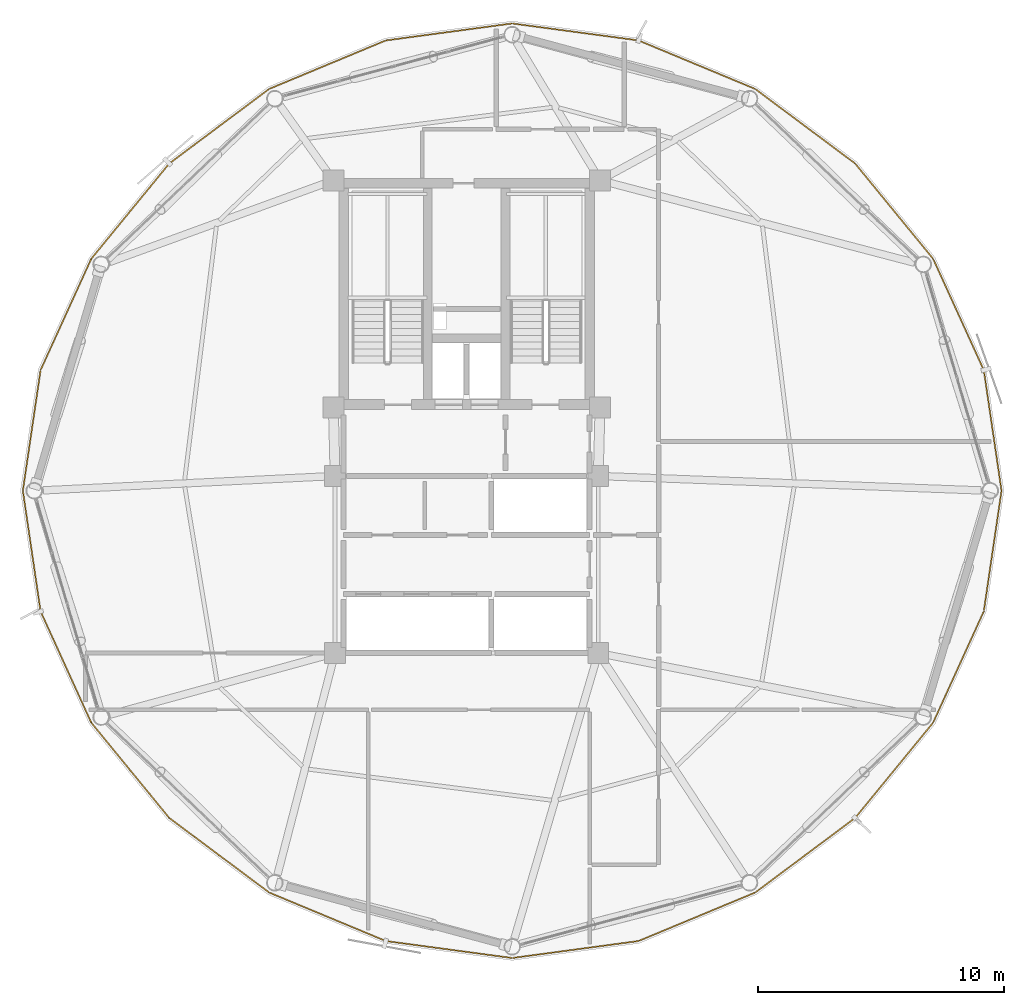
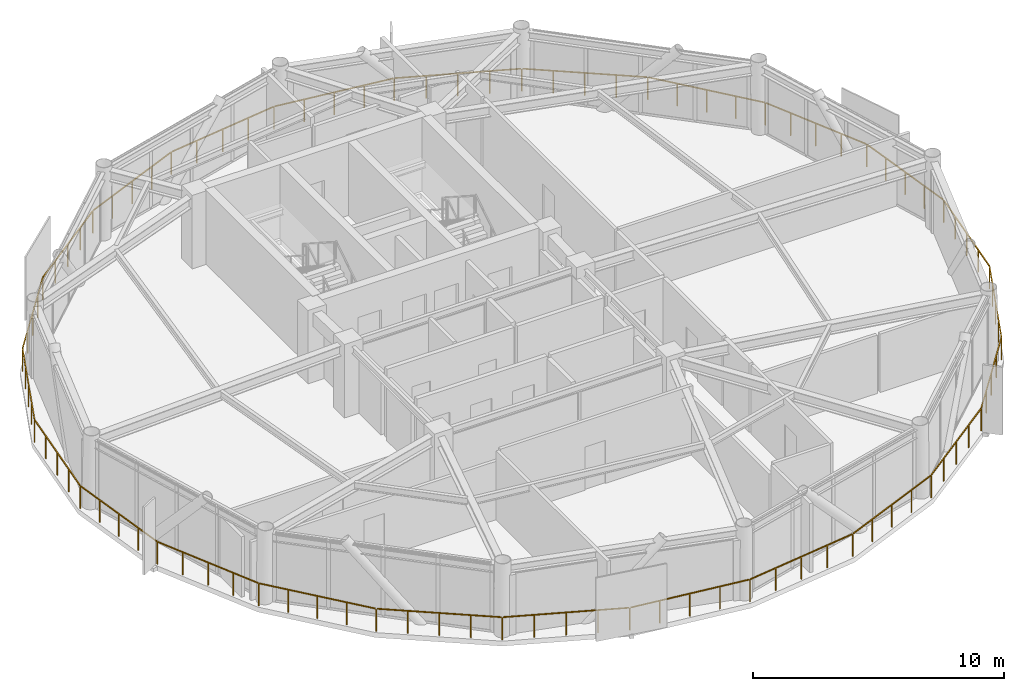
# One storey, part 27 of 28: 1 railing.
"""IFC4 building model written with IfcOpenShell, lengths in metres."""

from ifc_helpers import new_model, si_unit, direction, frame, origin, origin_2d, place, context, subcontext, project, spatial, rectangle, extrude, material, type_object, element, save


model = new_model("IFC4")

# Units and contexts
model_context = context("Model", 3, precision=1e-05, world=origin(), true_north=direction((0.0, 1.0)))
body_context = subcontext(model_context, "Body", "Model", "MODEL_VIEW")
ifc_project = project(units=[si_unit("LENGTHUNIT", "METRE"), si_unit("AREAUNIT", "SQUARE_METRE"), si_unit("VOLUMEUNIT", "CUBIC_METRE"), si_unit("PLANEANGLEUNIT", "RADIAN"), si_unit("MASSUNIT", "GRAM", prefix="KILO")], contexts=[model_context])

# Site, building, storey
site_placement = place(None, origin())
site = spatial("IfcSite", under=ifc_project, at=site_placement, CompositionType="ELEMENT")
building_placement = place(site_placement, origin())
building = spatial("IfcBuilding", under=site, at=building_placement, Name="Varnakorn Sky Granary", CompositionType="ELEMENT")
storey_placement = place(building_placement, frame((0.0, 0.0, 196.800048828125)))
storey = spatial("IfcBuildingStorey", under=building, at=storey_placement, Name="L49", CompositionType="ELEMENT", Elevation=196.800048828125)

# Railing
ifc_material = material(Name="Anodised Bronze Aluminium Alloy 6063-T6", Category="aluminium")
railing_type = type_object("IfcRailingType", Name="RL-BAL-1120", PredefinedType="BALUSTRADE", material=ifc_material)
railing_placement = place(storey_placement, frame((24.742919921875, 0.0, 0.0)))
element("IfcRailing", 1, at=railing_placement, inside=storey, type_object=railing_type, Name="Perimeter Slab-Edge Safety Guard L49", PredefinedType="BALUSTRADE", context=body_context, shape_type="SweptSolid", body=[
    extrude(rectangle(XDim=0.048095703125, YDim=0.048095703125, at=origin_2d()), frame((-0.004150390625, -0.027587890625, 1.09619140625), z_axis=(-0.145393282082, -0.989373940189, 0.0), x_axis=(0.989373940189, -0.145393282082, 0.0)), (0.0, 0.0, 1.0), 4.899169921875),
    extrude(rectangle(XDim=0.048095703125, YDim=0.048095703125, at=origin_2d()), frame((-0.732177734375, -4.927978515625, 1.09619140625), z_axis=(-0.414250557817, -0.910162883966, 0.0), x_axis=(0.910162883966, -0.414250557817, 0.0)), (0.0, 0.0, 1.0), 4.915771484375),
    extrude(rectangle(XDim=0.048095703125, YDim=0.048095703125, at=origin_2d()), frame((-2.7978515625, -9.449462890625, 1.09619140625), z_axis=(-0.633336005447, -0.773876930917, 0.0), x_axis=(0.773876930917, -0.633336005447, 0.0)), (0.0, 0.0, 1.0), 4.9521484375),
    extrude(rectangle(XDim=0.048095703125, YDim=0.048095703125, at=origin_2d()), frame((-5.974365234375, -13.3203125, 1.09619140625), z_axis=(-0.801477572871, -0.598024832415, 0.0), x_axis=(0.598024832415, -0.801477572871, 0.0)), (0.0, 0.0, 1.0), 5.011474609375),
    extrude(rectangle(XDim=0.048095703125, YDim=0.048095703125, at=origin_2d()), frame((-10.039306640625, -16.3447265625, 1.09619140625), z_axis=(-0.923400054461, -0.383838949849, 0.0), x_axis=(0.383838949849, -0.923400054461, 0.0)), (0.0, 0.0, 1.0), 5.080078125),
    extrude(rectangle(XDim=0.048095703125, YDim=0.048095703125, at=origin_2d()), frame((-14.783935546875, -18.30908203125, 1.09619140625), z_axis=(-0.991081250594, -0.133258976137, 0.0), x_axis=(0.133258976137, -0.991081250594, 0.0)), (0.0, 0.0, 1.0), 5.126953125),
    extrude(rectangle(XDim=0.048095703125, YDim=0.048095703125, at=origin_2d()), frame((-19.920654296875, -18.992431640625, 1.09619140625), z_axis=(-0.991082087017, 0.133252755295, 0.0), x_axis=(-0.133252755295, -0.991082087017, 0.0)), (0.0, 0.0, 1.0), 5.127197265625),
    extrude(rectangle(XDim=0.048095703125, YDim=0.048095703125, at=origin_2d()), frame((-25.0556640625, -18.294677734375, 1.09619140625), z_axis=(-0.923400054461, 0.383838949849, 0.0), x_axis=(-0.383838949849, -0.923400054461, 0.0)), (0.0, 0.0, 1.0), 5.080078125),
    extrude(rectangle(XDim=0.048095703125, YDim=0.048095703125, at=origin_2d()), frame((-29.794921875, -16.317138671875, 1.09619140625), z_axis=(-0.801477572871, 0.598024832415, 0.0), x_axis=(-0.598024832415, -0.801477572871, 0.0)), (0.0, 0.0, 1.0), 5.011474609375),
    extrude(rectangle(XDim=0.048095703125, YDim=0.048095703125, at=origin_2d()), frame((-33.851806640625, -13.28173828125, 1.09619140625), z_axis=(-0.633306809532, 0.773900823749, 0.0), x_axis=(-0.773900823749, -0.633306809532, 0.0)), (0.0, 0.0, 1.0), 4.9521484375),
    extrude(rectangle(XDim=0.048095703125, YDim=0.048095703125, at=origin_2d()), frame((-37.017333984375, -9.40234375, 1.09619140625), z_axis=(-0.414291235061, 0.910144369071, 0.0), x_axis=(-0.910144369071, -0.414291235061, 0.0)), (0.0, 0.0, 1.0), 4.916015625),
    extrude(rectangle(XDim=0.048095703125, YDim=0.048095703125, at=origin_2d()), frame((-39.069580078125, -4.875, 1.09619140625), z_axis=(-0.145393282082, 0.989373940189, 0.0), x_axis=(-0.989373940189, -0.145393282082, 0.0)), (0.0, 0.0, 1.0), 4.899169921875),
    extrude(rectangle(XDim=0.048095703125, YDim=0.048095703125, at=origin_2d()), frame((-39.78173828125, 0.027587890625, 1.09619140625), z_axis=(0.145393282082, 0.989373940189, 0.0), x_axis=(-0.989373940189, 0.145393282082, 0.0)), (0.0, 0.0, 1.0), 4.899169921875),
    extrude(rectangle(XDim=0.048095703125, YDim=0.048095703125, at=origin_2d()), frame((-39.0537109375, 4.927978515625, 1.09619140625), z_axis=(0.414291235061, 0.910144369071, 0.0), x_axis=(-0.910144369071, 0.414291235061, 0.0)), (0.0, 0.0, 1.0), 4.916015625),
    extrude(rectangle(XDim=0.048095703125, YDim=0.048095703125, at=origin_2d()), frame((-36.98779296875, 9.449462890625, 1.09619140625), z_axis=(0.633306809532, 0.773900823749, 0.0), x_axis=(-0.773900823749, 0.633306809532, 0.0)), (0.0, 0.0, 1.0), 4.9521484375),
    extrude(rectangle(XDim=0.048095703125, YDim=0.048095703125, at=origin_2d()), frame((-33.8115234375, 13.3203125, 1.09619140625), z_axis=(0.801477572871, 0.598024832415, 0.0), x_axis=(-0.598024832415, 0.801477572871, 0.0)), (0.0, 0.0, 1.0), 5.011474609375),
    extrude(rectangle(XDim=0.048095703125, YDim=0.048095703125, at=origin_2d()), frame((-29.74658203125, 16.3447265625, 1.09619140625), z_axis=(0.923400054461, 0.383838949849, 0.0), x_axis=(-0.383838949849, 0.923400054461, 0.0)), (0.0, 0.0, 1.0), 5.080078125),
    extrude(rectangle(XDim=0.048095703125, YDim=0.048095703125, at=origin_2d()), frame((-25.001953125, 18.30908203125, 1.09619140625), z_axis=(0.991082087017, 0.133252755295, 0.0), x_axis=(-0.133252755295, 0.991082087017, 0.0)), (0.0, 0.0, 1.0), 5.127197265625),
    extrude(rectangle(XDim=0.048095703125, YDim=0.048095703125, at=origin_2d()), frame((-19.864990234375, 18.992431640625, 1.09619140625), z_axis=(0.991081250594, -0.133258976137, 0.0), x_axis=(0.133258976137, 0.991081250594, 0.0)), (0.0, 0.0, 1.0), 5.126953125),
    extrude(rectangle(XDim=0.048095703125, YDim=0.048095703125, at=origin_2d()), frame((-14.730224609375, 18.294677734375, 1.09619140625), z_axis=(0.923400054461, -0.383838949849, 0.0), x_axis=(0.383838949849, 0.923400054461, 0.0)), (0.0, 0.0, 1.0), 5.080078125),
    extrude(rectangle(XDim=0.048095703125, YDim=0.048095703125, at=origin_2d()), frame((-9.990966796875, 16.317138671875, 1.09619140625), z_axis=(0.801477572871, -0.598024832415, 0.0), x_axis=(0.598024832415, 0.801477572871, 0.0)), (0.0, 0.0, 1.0), 5.011474609375),
    extrude(rectangle(XDim=0.048095703125, YDim=0.048095703125, at=origin_2d()), frame((-5.93408203125, 13.28173828125, 1.09619140625), z_axis=(0.633336005447, -0.773876930917, 0.0), x_axis=(0.773876930917, 0.633336005447, 0.0)), (0.0, 0.0, 1.0), 4.9521484375),
    extrude(rectangle(XDim=0.048095703125, YDim=0.048095703125, at=origin_2d()), frame((-2.768310546875, 9.40234375, 1.09619140625), z_axis=(0.414250557817, -0.910162883966, 0.0), x_axis=(0.910162883966, 0.414250557817, 0.0)), (0.0, 0.0, 1.0), 4.915771484375),
    extrude(rectangle(XDim=0.048095703125, YDim=0.048095703125, at=origin_2d()), frame((-0.71630859375, 4.875, 1.09619140625), z_axis=(0.145393282082, -0.989373940189, 0.0), x_axis=(0.989373940189, 0.145393282082, 0.0)), (0.0, 0.0, 1.0), 4.899169921875),
    extrude(rectangle(XDim=0.0419921875, YDim=0.0419921875, at=origin_2d()), origin(), (0.0, 0.0, 1.0), 1.068115234375),
    extrude(rectangle(XDim=0.0419921875, YDim=0.0419921875, at=origin_2d()), frame((-0.18017578125, -1.2255859375, 0.0)), (0.0, 0.0, 1.0), 1.068115234375),
    extrude(rectangle(XDim=0.0419921875, YDim=0.0419921875, at=origin_2d()), frame((-0.3603515625, -2.451171875, 0.0)), (0.0, 0.0, 1.0), 1.068115234375),
    extrude(rectangle(XDim=0.0419921875, YDim=0.0419921875, at=origin_2d()), frame((-0.540283203125, -3.677001953125, 0.0)), (0.0, 0.0, 1.0), 1.068115234375),
    extrude(rectangle(XDim=0.0419921875, YDim=0.0419921875, at=origin_2d()), frame((-0.720458984375, -4.902587890625, 0.0)), (0.0, 0.0, 1.0), 1.068115234375),
    extrude(rectangle(XDim=0.0419921875, YDim=0.0419921875, at=origin_2d()), frame((-1.2353515625, -6.033935546875, 0.0)), (0.0, 0.0, 1.0), 1.068115234375),
    extrude(rectangle(XDim=0.0419921875, YDim=0.0419921875, at=origin_2d()), frame((-1.750244140625, -7.1650390625, 0.0)), (0.0, 0.0, 1.0), 1.068115234375),
    extrude(rectangle(XDim=0.0419921875, YDim=0.0419921875, at=origin_2d()), frame((-2.26513671875, -8.29638671875, 0.0)), (0.0, 0.0, 1.0), 1.068115234375),
    extrude(rectangle(XDim=0.0419921875, YDim=0.0419921875, at=origin_2d()), frame((-2.780029296875, -9.427734375, 0.0)), (0.0, 0.0, 1.0), 1.068115234375),
    extrude(rectangle(XDim=0.0419921875, YDim=0.0419921875, at=origin_2d()), frame((-3.572998046875, -10.396728515625, 0.0)), (0.0, 0.0, 1.0), 1.068115234375),
    extrude(rectangle(XDim=0.0419921875, YDim=0.0419921875, at=origin_2d()), frame((-4.365966796875, -11.36572265625, 0.0)), (0.0, 0.0, 1.0), 1.068115234375),
    extrude(rectangle(XDim=0.0419921875, YDim=0.0419921875, at=origin_2d()), frame((-5.158935546875, -12.33447265625, 0.0)), (0.0, 0.0, 1.0), 1.068115234375),
    extrude(rectangle(XDim=0.0419921875, YDim=0.0419921875, at=origin_2d()), frame((-5.951904296875, -13.303466796875, 0.0)), (0.0, 0.0, 1.0), 1.068115234375),
    extrude(rectangle(XDim=0.0419921875, YDim=0.0419921875, at=origin_2d()), frame((-6.96728515625, -14.06103515625, 0.0)), (0.0, 0.0, 1.0), 1.068115234375),
    extrude(rectangle(XDim=0.0419921875, YDim=0.0419921875, at=origin_2d()), frame((-7.982666015625, -14.81884765625, 0.0)), (0.0, 0.0, 1.0), 1.068115234375),
    extrude(rectangle(XDim=0.0419921875, YDim=0.0419921875, at=origin_2d()), frame((-8.998046875, -15.576416015625, 0.0)), (0.0, 0.0, 1.0), 1.068115234375),
    extrude(rectangle(XDim=0.0419921875, YDim=0.0419921875, at=origin_2d()), frame((-10.013427734375, -16.333984375, 0.0)), (0.0, 0.0, 1.0), 1.068115234375),
    extrude(rectangle(XDim=0.0419921875, YDim=0.0419921875, at=origin_2d()), frame((-11.19921875, -16.826904296875, 0.0)), (0.0, 0.0, 1.0), 1.068115234375),
    extrude(rectangle(XDim=0.0419921875, YDim=0.0419921875, at=origin_2d()), frame((-12.384765625, -17.31982421875, 0.0)), (0.0, 0.0, 1.0), 1.068115234375),
    extrude(rectangle(XDim=0.0419921875, YDim=0.0419921875, at=origin_2d()), frame((-13.5703125, -17.8125, 0.0)), (0.0, 0.0, 1.0), 1.068115234375),
    extrude(rectangle(XDim=0.0419921875, YDim=0.0419921875, at=origin_2d()), frame((-14.756103515625, -18.305419921875, 0.0)), (0.0, 0.0, 1.0), 1.068115234375),
    extrude(rectangle(XDim=0.0419921875, YDim=0.0419921875, at=origin_2d()), frame((-16.040283203125, -18.47802734375, 0.0)), (0.0, 0.0, 1.0), 1.068115234375),
    extrude(rectangle(XDim=0.0419921875, YDim=0.0419921875, at=origin_2d()), frame((-17.324462890625, -18.65087890625, 0.0)), (0.0, 0.0, 1.0), 1.068115234375),
    extrude(rectangle(XDim=0.0419921875, YDim=0.0419921875, at=origin_2d()), frame((-18.608642578125, -18.823486328125, 0.0)), (0.0, 0.0, 1.0), 1.068115234375),
    extrude(rectangle(XDim=0.0419921875, YDim=0.0419921875, at=origin_2d()), frame((-19.892822265625, -18.99609375, 0.0)), (0.0, 0.0, 1.0), 1.068115234375),
    extrude(rectangle(XDim=0.0419921875, YDim=0.0419921875, at=origin_2d()), frame((-21.177001953125, -18.823486328125, 0.0)), (0.0, 0.0, 1.0), 1.068115234375),
    extrude(rectangle(XDim=0.0419921875, YDim=0.0419921875, at=origin_2d()), frame((-22.46142578125, -18.65087890625, 0.0)), (0.0, 0.0, 1.0), 1.068115234375),
    extrude(rectangle(XDim=0.0419921875, YDim=0.0419921875, at=origin_2d()), frame((-23.74560546875, -18.47802734375, 0.0)), (0.0, 0.0, 1.0), 1.068115234375),
    extrude(rectangle(XDim=0.0419921875, YDim=0.0419921875, at=origin_2d()), frame((-25.02978515625, -18.305419921875, 0.0)), (0.0, 0.0, 1.0), 1.068115234375),
    extrude(rectangle(XDim=0.0419921875, YDim=0.0419921875, at=origin_2d()), frame((-26.21533203125, -17.8125, 0.0)), (0.0, 0.0, 1.0), 1.068115234375),
    extrude(rectangle(XDim=0.0419921875, YDim=0.0419921875, at=origin_2d()), frame((-27.401123046875, -17.31982421875, 0.0)), (0.0, 0.0, 1.0), 1.068115234375),
    extrude(rectangle(XDim=0.0419921875, YDim=0.0419921875, at=origin_2d()), frame((-28.5869140625, -16.826904296875, 0.0)), (0.0, 0.0, 1.0), 1.068115234375),
    extrude(rectangle(XDim=0.0419921875, YDim=0.0419921875, at=origin_2d()), frame((-29.7724609375, -16.333984375, 0.0)), (0.0, 0.0, 1.0), 1.068115234375),
    extrude(rectangle(XDim=0.0419921875, YDim=0.0419921875, at=origin_2d()), frame((-30.787841796875, -15.576416015625, 0.0)), (0.0, 0.0, 1.0), 1.068115234375),
    extrude(rectangle(XDim=0.0419921875, YDim=0.0419921875, at=origin_2d()), frame((-31.80322265625, -14.81884765625, 0.0)), (0.0, 0.0, 1.0), 1.068115234375),
    extrude(rectangle(XDim=0.0419921875, YDim=0.0419921875, at=origin_2d()), frame((-32.818603515625, -14.06103515625, 0.0)), (0.0, 0.0, 1.0), 1.068115234375),
    extrude(rectangle(XDim=0.0419921875, YDim=0.0419921875, at=origin_2d()), frame((-33.833984375, -13.303466796875, 0.0)), (0.0, 0.0, 1.0), 1.068115234375),
    extrude(rectangle(XDim=0.0419921875, YDim=0.0419921875, at=origin_2d()), frame((-34.626953125, -12.33447265625, 0.0)), (0.0, 0.0, 1.0), 1.068115234375),
    extrude(rectangle(XDim=0.0419921875, YDim=0.0419921875, at=origin_2d()), frame((-35.419921875, -11.36572265625, 0.0)), (0.0, 0.0, 1.0), 1.068115234375),
    extrude(rectangle(XDim=0.0419921875, YDim=0.0419921875, at=origin_2d()), frame((-36.212646484375, -10.396728515625, 0.0)), (0.0, 0.0, 1.0), 1.068115234375),
    extrude(rectangle(XDim=0.0419921875, YDim=0.0419921875, at=origin_2d()), frame((-37.005615234375, -9.427734375, 0.0)), (0.0, 0.0, 1.0), 1.068115234375),
    extrude(rectangle(XDim=0.0419921875, YDim=0.0419921875, at=origin_2d()), frame((-37.5205078125, -8.29638671875, 0.0)), (0.0, 0.0, 1.0), 1.068115234375),
    extrude(rectangle(XDim=0.0419921875, YDim=0.0419921875, at=origin_2d()), frame((-38.03564453125, -7.1650390625, 0.0)), (0.0, 0.0, 1.0), 1.068115234375),
    extrude(rectangle(XDim=0.0419921875, YDim=0.0419921875, at=origin_2d()), frame((-38.550537109375, -6.033935546875, 0.0)), (0.0, 0.0, 1.0), 1.068115234375),
    extrude(rectangle(XDim=0.0419921875, YDim=0.0419921875, at=origin_2d()), frame((-39.0654296875, -4.902587890625, 0.0)), (0.0, 0.0, 1.0), 1.068115234375),
    extrude(rectangle(XDim=0.0419921875, YDim=0.0419921875, at=origin_2d()), frame((-39.24560546875, -3.677001953125, 0.0)), (0.0, 0.0, 1.0), 1.068115234375),
    extrude(rectangle(XDim=0.0419921875, YDim=0.0419921875, at=origin_2d()), frame((-39.42578125, -2.451171875, 0.0)), (0.0, 0.0, 1.0), 1.068115234375),
    extrude(rectangle(XDim=0.0419921875, YDim=0.0419921875, at=origin_2d()), frame((-39.605712890625, -1.2255859375, 0.0)), (0.0, 0.0, 1.0), 1.068115234375),
    extrude(rectangle(XDim=0.0419921875, YDim=0.0419921875, at=origin_2d()), frame((-39.785888671875, 0.0, 0.0)), (0.0, 0.0, 1.0), 1.068115234375),
    extrude(rectangle(XDim=0.0419921875, YDim=0.0419921875, at=origin_2d()), frame((-39.605712890625, 1.2255859375, 0.0)), (0.0, 0.0, 1.0), 1.068115234375),
    extrude(rectangle(XDim=0.0419921875, YDim=0.0419921875, at=origin_2d()), frame((-39.42578125, 2.451171875, 0.0)), (0.0, 0.0, 1.0), 1.068115234375),
    extrude(rectangle(XDim=0.0419921875, YDim=0.0419921875, at=origin_2d()), frame((-39.24560546875, 3.677001953125, 0.0)), (0.0, 0.0, 1.0), 1.068115234375),
    extrude(rectangle(XDim=0.0419921875, YDim=0.0419921875, at=origin_2d()), frame((-39.0654296875, 4.902587890625, 0.0)), (0.0, 0.0, 1.0), 1.068115234375),
    extrude(rectangle(XDim=0.0419921875, YDim=0.0419921875, at=origin_2d()), frame((-38.550537109375, 6.033935546875, 0.0)), (0.0, 0.0, 1.0), 1.068115234375),
    extrude(rectangle(XDim=0.0419921875, YDim=0.0419921875, at=origin_2d()), frame((-38.03564453125, 7.1650390625, 0.0)), (0.0, 0.0, 1.0), 1.068115234375),
    extrude(rectangle(XDim=0.0419921875, YDim=0.0419921875, at=origin_2d()), frame((-37.5205078125, 8.29638671875, 0.0)), (0.0, 0.0, 1.0), 1.068115234375),
    extrude(rectangle(XDim=0.0419921875, YDim=0.0419921875, at=origin_2d()), frame((-37.005615234375, 9.427734375, 0.0)), (0.0, 0.0, 1.0), 1.068115234375),
    extrude(rectangle(XDim=0.0419921875, YDim=0.0419921875, at=origin_2d()), frame((-36.212646484375, 10.396728515625, 0.0)), (0.0, 0.0, 1.0), 1.068115234375),
    extrude(rectangle(XDim=0.0419921875, YDim=0.0419921875, at=origin_2d()), frame((-35.419921875, 11.36572265625, 0.0)), (0.0, 0.0, 1.0), 1.068115234375),
    extrude(rectangle(XDim=0.0419921875, YDim=0.0419921875, at=origin_2d()), frame((-34.626953125, 12.33447265625, 0.0)), (0.0, 0.0, 1.0), 1.068115234375),
    extrude(rectangle(XDim=0.0419921875, YDim=0.0419921875, at=origin_2d()), frame((-33.833984375, 13.303466796875, 0.0)), (0.0, 0.0, 1.0), 1.068115234375),
    extrude(rectangle(XDim=0.0419921875, YDim=0.0419921875, at=origin_2d()), frame((-32.818603515625, 14.06103515625, 0.0)), (0.0, 0.0, 1.0), 1.068115234375),
    extrude(rectangle(XDim=0.0419921875, YDim=0.0419921875, at=origin_2d()), frame((-31.80322265625, 14.81884765625, 0.0)), (0.0, 0.0, 1.0), 1.068115234375),
    extrude(rectangle(XDim=0.0419921875, YDim=0.0419921875, at=origin_2d()), frame((-30.787841796875, 15.576416015625, 0.0)), (0.0, 0.0, 1.0), 1.068115234375),
    extrude(rectangle(XDim=0.0419921875, YDim=0.0419921875, at=origin_2d()), frame((-29.7724609375, 16.333984375, 0.0)), (0.0, 0.0, 1.0), 1.068115234375),
    extrude(rectangle(XDim=0.0419921875, YDim=0.0419921875, at=origin_2d()), frame((-28.5869140625, 16.826904296875, 0.0)), (0.0, 0.0, 1.0), 1.068115234375),
    extrude(rectangle(XDim=0.0419921875, YDim=0.0419921875, at=origin_2d()), frame((-27.401123046875, 17.31982421875, 0.0)), (0.0, 0.0, 1.0), 1.068115234375),
    extrude(rectangle(XDim=0.0419921875, YDim=0.0419921875, at=origin_2d()), frame((-26.21533203125, 17.8125, 0.0)), (0.0, 0.0, 1.0), 1.068115234375),
    extrude(rectangle(XDim=0.0419921875, YDim=0.0419921875, at=origin_2d()), frame((-25.02978515625, 18.305419921875, 0.0)), (0.0, 0.0, 1.0), 1.068115234375),
    extrude(rectangle(XDim=0.0419921875, YDim=0.0419921875, at=origin_2d()), frame((-23.74560546875, 18.47802734375, 0.0)), (0.0, 0.0, 1.0), 1.068115234375),
    extrude(rectangle(XDim=0.0419921875, YDim=0.0419921875, at=origin_2d()), frame((-22.46142578125, 18.65087890625, 0.0)), (0.0, 0.0, 1.0), 1.068115234375),
    extrude(rectangle(XDim=0.0419921875, YDim=0.0419921875, at=origin_2d()), frame((-21.177001953125, 18.823486328125, 0.0)), (0.0, 0.0, 1.0), 1.068115234375),
    extrude(rectangle(XDim=0.0419921875, YDim=0.0419921875, at=origin_2d()), frame((-19.892822265625, 18.99609375, 0.0)), (0.0, 0.0, 1.0), 1.068115234375),
    extrude(rectangle(XDim=0.0419921875, YDim=0.0419921875, at=origin_2d()), frame((-18.608642578125, 18.823486328125, 0.0)), (0.0, 0.0, 1.0), 1.068115234375),
    extrude(rectangle(XDim=0.0419921875, YDim=0.0419921875, at=origin_2d()), frame((-17.324462890625, 18.65087890625, 0.0)), (0.0, 0.0, 1.0), 1.068115234375),
    extrude(rectangle(XDim=0.0419921875, YDim=0.0419921875, at=origin_2d()), frame((-16.040283203125, 18.47802734375, 0.0)), (0.0, 0.0, 1.0), 1.068115234375),
    extrude(rectangle(XDim=0.0419921875, YDim=0.0419921875, at=origin_2d()), frame((-14.756103515625, 18.305419921875, 0.0)), (0.0, 0.0, 1.0), 1.068115234375),
    extrude(rectangle(XDim=0.0419921875, YDim=0.0419921875, at=origin_2d()), frame((-13.5703125, 17.8125, 0.0)), (0.0, 0.0, 1.0), 1.068115234375),
    extrude(rectangle(XDim=0.0419921875, YDim=0.0419921875, at=origin_2d()), frame((-12.384765625, 17.31982421875, 0.0)), (0.0, 0.0, 1.0), 1.068115234375),
    extrude(rectangle(XDim=0.0419921875, YDim=0.0419921875, at=origin_2d()), frame((-11.19921875, 16.826904296875, 0.0)), (0.0, 0.0, 1.0), 1.068115234375),
    extrude(rectangle(XDim=0.0419921875, YDim=0.0419921875, at=origin_2d()), frame((-10.013427734375, 16.333984375, 0.0)), (0.0, 0.0, 1.0), 1.068115234375),
    extrude(rectangle(XDim=0.0419921875, YDim=0.0419921875, at=origin_2d()), frame((-8.998046875, 15.576416015625, 0.0)), (0.0, 0.0, 1.0), 1.068115234375),
    extrude(rectangle(XDim=0.0419921875, YDim=0.0419921875, at=origin_2d()), frame((-7.982666015625, 14.81884765625, 0.0)), (0.0, 0.0, 1.0), 1.068115234375),
    extrude(rectangle(XDim=0.0419921875, YDim=0.0419921875, at=origin_2d()), frame((-6.96728515625, 14.06103515625, 0.0)), (0.0, 0.0, 1.0), 1.068115234375),
    extrude(rectangle(XDim=0.0419921875, YDim=0.0419921875, at=origin_2d()), frame((-5.951904296875, 13.303466796875, 0.0)), (0.0, 0.0, 1.0), 1.068115234375),
    extrude(rectangle(XDim=0.0419921875, YDim=0.0419921875, at=origin_2d()), frame((-5.158935546875, 12.33447265625, 0.0)), (0.0, 0.0, 1.0), 1.068115234375),
    extrude(rectangle(XDim=0.0419921875, YDim=0.0419921875, at=origin_2d()), frame((-4.365966796875, 11.36572265625, 0.0)), (0.0, 0.0, 1.0), 1.068115234375),
    extrude(rectangle(XDim=0.0419921875, YDim=0.0419921875, at=origin_2d()), frame((-3.572998046875, 10.396728515625, 0.0)), (0.0, 0.0, 1.0), 1.068115234375),
    extrude(rectangle(XDim=0.0419921875, YDim=0.0419921875, at=origin_2d()), frame((-2.780029296875, 9.427734375, 0.0)), (0.0, 0.0, 1.0), 1.068115234375),
    extrude(rectangle(XDim=0.0419921875, YDim=0.0419921875, at=origin_2d()), frame((-2.26513671875, 8.29638671875, 0.0)), (0.0, 0.0, 1.0), 1.068115234375),
    extrude(rectangle(XDim=0.0419921875, YDim=0.0419921875, at=origin_2d()), frame((-1.750244140625, 7.1650390625, 0.0)), (0.0, 0.0, 1.0), 1.068115234375),
    extrude(rectangle(XDim=0.0419921875, YDim=0.0419921875, at=origin_2d()), frame((-1.2353515625, 6.033935546875, 0.0)), (0.0, 0.0, 1.0), 1.068115234375),
    extrude(rectangle(XDim=0.0419921875, YDim=0.0419921875, at=origin_2d()), frame((-0.720458984375, 4.902587890625, 0.0)), (0.0, 0.0, 1.0), 1.068115234375),
    extrude(rectangle(XDim=0.0419921875, YDim=0.0419921875, at=origin_2d()), frame((-0.540283203125, 3.677001953125, 0.0)), (0.0, 0.0, 1.0), 1.068115234375),
    extrude(rectangle(XDim=0.0419921875, YDim=0.0419921875, at=origin_2d()), frame((-0.3603515625, 2.451171875, 0.0)), (0.0, 0.0, 1.0), 1.068115234375),
    extrude(rectangle(XDim=0.0419921875, YDim=0.0419921875, at=origin_2d()), frame((-0.18017578125, 1.2255859375, 0.0)), (0.0, 0.0, 1.0), 1.068115234375),
])

save(model, "model.ifc")
